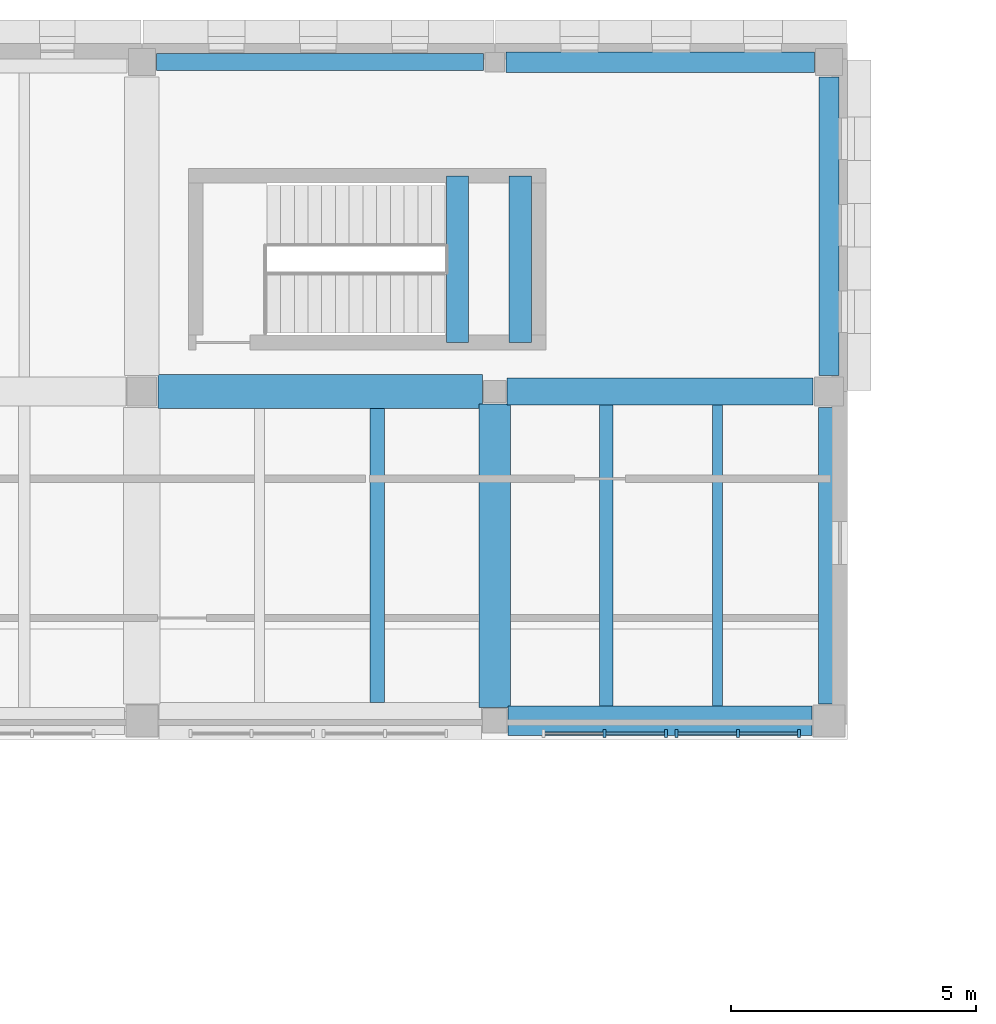
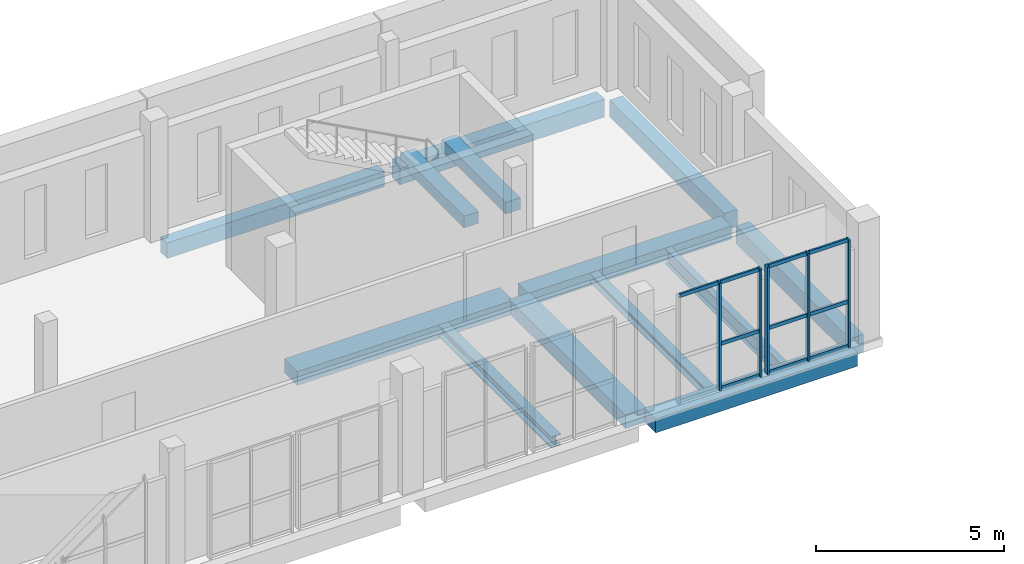
# One storey, part 27 of 76: 15 members, 13 beams, 2 elements without a shape of their own.
"""IFC4 building model written with IfcOpenShell, lengths in metres."""

from ifc_helpers import new_model, si_unit, direction, frame, origin, origin_2d, place, context, subcontext, project, spatial, rectangle, i_section, extrude, material, layer, layer_set, material_profile, profile_set, type_object, element, aggregate, save


model = new_model("IFC4")

# Units and contexts
model_context = context("Model", 3, precision=1e-05, world=origin(), true_north=direction((0.0, 1.0)))
body_context = subcontext(model_context, "Body", "Model", "MODEL_VIEW")
ifc_project = project(units=[si_unit("LENGTHUNIT", "METRE"), si_unit("AREAUNIT", "SQUARE_METRE"), si_unit("VOLUMEUNIT", "CUBIC_METRE"), si_unit("PLANEANGLEUNIT", "RADIAN"), si_unit("MASSUNIT", "GRAM", prefix="KILO")], contexts=[model_context])

# Site, building, storey
site_placement = place(None, origin())
site = spatial("IfcSite", under=ifc_project, at=site_placement, CompositionType="ELEMENT")
building_placement = place(site_placement, origin())
building = spatial("IfcBuilding", under=site, at=building_placement, Name="Vardoun Plaza Health Centre", CompositionType="ELEMENT")
storey_placement = place(building_placement, frame((0.0, 0.0, 4.5)))
storey = spatial("IfcBuildingStorey", under=building, at=storey_placement, Name="L01", CompositionType="ELEMENT", Elevation=4.5)

# Beams
ifc_material_1 = material(Name="Concrete C35/45", Category="concrete")
ifc_material_profile_1 = material_profile(ifc_material_1, rectangle(XDim=0.35009765625, YDim=0.5, at=origin_2d()), Name="RC-BM 350x500")
ifc_profile_set_1 = profile_set([ifc_material_profile_1], Name="Concrete C35/45")
beam_type_1 = type_object("IfcBeamType", Name="B-08", PredefinedType="SPANDREL", material=ifc_profile_set_1)
beam_1_placement = place(storey_placement, frame((33.60009765625, 114.919921875, -0.514892578125), z_axis=(1.0, 0.0, 0.0), x_axis=(0.0, 1.0, 0.0)))
element("IfcBeam", 1, at=beam_1_placement, inside=storey, type_object=beam_type_1, Name="V3 L01 Beam B-V3-L01-X21", PredefinedType="SPANDREL", context=body_context, shape_type="SweptSolid", body=[
    extrude(rectangle(XDim=0.35009765625, YDim=0.5, at=origin_2d()), origin(), (0.0, 0.0, 1.0), 6.675048828125),
])
ifc_material_2 = material(Name="Concrete C35/45", Category="concrete")
ifc_material_profile_2 = material_profile(ifc_material_2, rectangle(XDim=0.39990234375, YDim=0.550048828125, at=origin_2d()), Name="RC-BM 400x550")
ifc_profile_set_2 = profile_set([ifc_material_profile_2], Name="Concrete C35/45")
beam_type_2 = type_object("IfcBeamType", Name="B-09", PredefinedType="SPANDREL", material=ifc_profile_set_2)
beam_2_placement = place(storey_placement, frame((47.320068359375, 108.525146484375, -0.5400390625), z_axis=(0.0, 1.0, 0.0), x_axis=(-1.0, 0.0, 0.0)))
element("IfcBeam", 2, at=beam_2_placement, inside=storey, type_object=beam_type_2, Name="V3 L01 Beam B-V3-L01-Y45", PredefinedType="SPANDREL", context=body_context, shape_type="SweptSolid", body=[
    extrude(rectangle(XDim=0.39990234375, YDim=0.550048828125, at=origin_2d()), origin(), (0.0, 0.0, 1.0), 6.094970703125),
])
ifc_material_3 = material(Name="Concrete C35/45", Category="concrete")
ifc_material_profile_3 = material_profile(ifc_material_3, rectangle(XDim=0.419921875, YDim=0.580078125, at=origin_2d()), Name="RC-BM 420x580")
ifc_profile_set_3 = profile_set([ifc_material_profile_3], Name="Concrete C35/45")
beam_type_3 = type_object("IfcBeamType", Name="B-10", PredefinedType="SPANDREL", material=ifc_profile_set_3)
beam_3_placement = place(storey_placement, frame((40.72509765625, 114.919921875, -0.554931640625), z_axis=(1.0, 0.0, 0.0), x_axis=(0.0, 1.0, 0.0)))
element("IfcBeam", 3, at=beam_3_placement, inside=storey, type_object=beam_type_3, Name="V3 L01 Beam B-V3-L01-X24", PredefinedType="SPANDREL", context=body_context, shape_type="SweptSolid", body=[
    extrude(rectangle(XDim=0.419921875, YDim=0.580078125, at=origin_2d()), origin(), (0.0, 0.0, 1.0), 6.294921875),
])
beam_4_placement = place(storey_placement, frame((47.320068359375, 101.830078125, -0.554931640625), z_axis=(0.0, 1.0, 0.0), x_axis=(-1.0, 0.0, 0.0)))
element("IfcBeam", 4, at=beam_4_placement, inside=storey, type_object=beam_type_3, Name="V3 L01 Beam B-V3-L01-Y44", PredefinedType="SPANDREL", context=body_context, shape_type="SweptSolid", body=[
    extrude(rectangle(XDim=0.419921875, YDim=0.580078125, at=origin_2d()), origin(), (0.0, 0.0, 1.0), 6.044921875),
])
ifc_material_4 = material(Name="Concrete C35/45", Category="concrete")
ifc_material_profile_4 = material_profile(ifc_material_4, rectangle(XDim=0.449951171875, YDim=0.3798828125, at=origin_2d()), Name="RC-BM 450x380")
ifc_profile_set_4 = profile_set([ifc_material_profile_4], Name="Concrete C35/45")
beam_type_4 = type_object("IfcBeamType", Name="B-01", PredefinedType="BEAM", material=ifc_profile_set_4)
for number, where, z_axis, x_axis, name in (
    (5, (39.739990234375, 109.199951171875, 1.7099609375), (0.0, 1.0, 0.0), (-1.0, 0.0, 0.0), "Stair ST-C4-L01 Landing Beam 1"),
    (6, (41.02001953125, 109.199951171875, 1.7099609375), (0.0, 1.0, 0.0), (-1.0, 0.0, 0.0), "Stair ST-C4-L01 Landing Beam 2"),
):
    element("IfcBeam", number, at=place(storey_placement, frame(where, z_axis=z_axis, x_axis=x_axis)), inside=storey, type_object=beam_type_4, Name=name, PredefinedType="BEAM", context=body_context, shape_type="SweptSolid", body=[
        extrude(rectangle(XDim=0.449951171875, YDim=0.3798828125, at=origin_2d()), origin(), (0.0, 0.0, 1.0), 3.400146484375),
    ])
ifc_material_5 = material(Name="Concrete C35/45", Category="concrete")
ifc_material_profile_5 = material_profile(ifc_material_5, rectangle(XDim=0.550048828125, YDim=0.419921875, at=origin_2d()), Name="RC-BM 550x420")
ifc_profile_set_5 = profile_set([ifc_material_profile_5], Name="Concrete C35/45")
beam_type_5 = type_object("IfcBeamType", Name="B-03", PredefinedType="BEAM", material=ifc_profile_set_5)
beam_5_placement = place(storey_placement, frame((40.75, 108.199951171875, -0.47509765625), z_axis=(1.0, 0.0, 0.0), x_axis=(0.0, 1.0, 0.0)))
element("IfcBeam", 7, at=beam_5_placement, inside=storey, type_object=beam_type_5, Name="V3 L01 Beam B-V3-L01-X23", PredefinedType="BEAM", context=body_context, shape_type="SweptSolid", body=[
    extrude(rectangle(XDim=0.550048828125, YDim=0.419921875, at=origin_2d()), origin(), (0.0, 0.0, 1.0), 6.2451171875),
])
ifc_material_6 = material(Name="Concrete C35/45", Category="concrete")
ifc_material_profile_6 = material_profile(ifc_material_6, rectangle(XDim=0.60009765625, YDim=0.449951171875, at=origin_2d()), Name="RC-BM 600x450")
ifc_profile_set_6 = profile_set([ifc_material_profile_6], Name="Concrete C35/45")
beam_type_6 = type_object("IfcBeamType", Name="B-04", PredefinedType="BEAM", material=ifc_profile_set_6)
beam_6_placement = place(storey_placement, frame((40.775146484375, 101.47998046875, -0.489990234375), z_axis=(1.0, 0.0, 0.0), x_axis=(0.0, 1.0, 0.0)))
element("IfcBeam", 8, at=beam_6_placement, inside=storey, type_object=beam_type_6, Name="V3 L01 Beam B-V3-L01-X22", PredefinedType="BEAM", context=body_context, shape_type="SweptSolid", body=[
    extrude(rectangle(XDim=0.60009765625, YDim=0.449951171875, at=origin_2d()), origin(), (0.0, 0.0, 1.0), 6.19482421875),
])
ifc_material_7 = material(Name="Concrete C35/45", Category="concrete")
ifc_material_profile_7 = material_profile(ifc_material_7, rectangle(XDim=0.64990234375, YDim=0.449951171875, at=origin_2d()), Name="RC-BM 650x450")
ifc_profile_set_7 = profile_set([ifc_material_profile_7], Name="Concrete C35/45")
beam_type_7 = type_object("IfcBeamType", Name="B-05", PredefinedType="BEAM", material=ifc_profile_set_7)
beam_7_placement = place(storey_placement, frame((40.5, 101.7548828125, -0.489990234375), z_axis=(0.0, 1.0, 0.0), x_axis=(-1.0, 0.0, 0.0)))
element("IfcBeam", 9, at=beam_7_placement, inside=storey, type_object=beam_type_7, Name="V3 L01 Beam B-V3-L01-Y43", PredefinedType="BEAM", context=body_context, shape_type="SweptSolid", body=[
    extrude(rectangle(XDim=0.64990234375, YDim=0.449951171875, at=origin_2d()), origin(), (0.0, 0.0, 1.0), 6.195068359375),
])
ifc_material_8 = material(Name="Concrete C35/45", Category="concrete")
ifc_material_profile_8 = material_profile(ifc_material_8, rectangle(XDim=0.699951171875, YDim=0.449951171875, at=origin_2d()), Name="RC-BM 700x450")
ifc_profile_set_8 = profile_set([ifc_material_profile_8], Name="Concrete C35/45")
beam_type_8 = type_object("IfcBeamType", Name="B-06", PredefinedType="BEAM", material=ifc_profile_set_8)
beam_8_placement = place(storey_placement, frame((33.625, 108.199951171875, -0.489990234375), z_axis=(1.0, 0.0, 0.0), x_axis=(0.0, 1.0, 0.0)))
element("IfcBeam", 10, at=beam_8_placement, inside=storey, type_object=beam_type_8, Name="V3 L01 Beam B-V3-L01-X20", PredefinedType="BEAM", context=body_context, shape_type="SweptSolid", body=[
    extrude(rectangle(XDim=0.699951171875, YDim=0.449951171875, at=origin_2d()), origin(), (0.0, 0.0, 1.0), 6.625),
])
ifc_material_9 = material(Name="Steel S355J2", Category="steel")
ifc_material_profile_9 = material_profile(ifc_material_9, i_section(OverallWidth=0.280029296875, OverallDepth=0.280029296875, WebThickness=0.010498046875, FlangeThickness=0.01806640625, FilletRadius=0.02392578125, at=origin_2d()), Name="HEB 280")
ifc_profile_set_9 = profile_set([ifc_material_profile_9], Name="Steel S355J2")
beam_type_9 = type_object("IfcBeamType", Name="SB-02", PredefinedType="BEAM", material=ifc_profile_set_9)
beam_9_placement = place(storey_placement, frame((42.773193359375, 101.780029296875, -0.405029296875), z_axis=(0.0, 1.0, 0.0), x_axis=(-1.0, 0.0, 0.0)))
element("IfcBeam", 11, at=beam_9_placement, inside=storey, type_object=beam_type_9, Name="V3 L01 Secondary Floor Beam SJ-V3-L01-27", PredefinedType="BEAM", context=body_context, shape_type="SweptSolid", body=[
    extrude(i_section(OverallWidth=0.280029296875, OverallDepth=0.280029296875, WebThickness=0.010498046875, FlangeThickness=0.01806640625, FilletRadius=0.02392578125, at=origin_2d()), origin(), (0.0, 0.0, 1.0), 6.14501953125),
])
ifc_material_10 = material(Name="Steel S355J2", Category="steel")
ifc_material_profile_10 = material_profile(ifc_material_10, i_section(OverallWidth=0.300048828125, OverallDepth=0.360107421875, WebThickness=0.012451171875, FlangeThickness=0.0224609375, FilletRadius=0.027099609375, at=origin_2d()), Name="HEB 360")
ifc_profile_set_10 = profile_set([ifc_material_profile_10], Name="Steel S355J2")
beam_type_10 = type_object("IfcBeamType", Name="RB-04", PredefinedType="BEAM", material=ifc_profile_set_10)
beam_10_placement = place(storey_placement, frame((38.10009765625, 101.85498046875, -0.445068359375), z_axis=(0.0, 1.0, 0.0), x_axis=(-1.0, 0.0, 0.0)))
element("IfcBeam", 12, at=beam_10_placement, inside=storey, type_object=beam_type_10, Name="V3 L01 Secondary Floor Beam SJ-V3-L01-26", PredefinedType="BEAM", context=body_context, shape_type="SweptSolid", body=[
    extrude(i_section(OverallWidth=0.300048828125, OverallDepth=0.360107421875, WebThickness=0.012451171875, FlangeThickness=0.0224609375, FilletRadius=0.027099609375, at=origin_2d()), origin(), (0.0, 0.0, 1.0), 5.9951171875),
])
ifc_material_11 = material(Name="Steel S355J2", Category="steel")
ifc_material_profile_11 = material_profile(ifc_material_11, i_section(OverallWidth=0.199951171875, OverallDepth=0.5, WebThickness=0.01025390625, FlangeThickness=0.01611328125, FilletRadius=0.02099609375, at=origin_2d()), Name="IPE 500")
ifc_profile_set_11 = profile_set([ifc_material_profile_11], Name="Steel S355J2")
beam_type_11 = type_object("IfcBeamType", Name="SB-10", PredefinedType="BEAM", material=ifc_profile_set_11)
beam_11_placement = place(storey_placement, frame((45.046875, 101.780029296875, -0.514892578125), z_axis=(0.0, 1.0, 0.0), x_axis=(-1.0, 0.0, 0.0)))
element("IfcBeam", 13, at=beam_11_placement, inside=storey, type_object=beam_type_11, Name="V3 L01 Secondary Floor Beam SJ-V3-L01-28", PredefinedType="BEAM", context=body_context, shape_type="SweptSolid", body=[
    extrude(i_section(OverallWidth=0.199951171875, OverallDepth=0.5, WebThickness=0.01025390625, FlangeThickness=0.01611328125, FilletRadius=0.02099609375, at=origin_2d()), origin(), (0.0, 0.0, 1.0), 6.14501953125),
])

# Curtain wall, members
ifc_material_12 = material(Name="Aluminium Alloy EN AW-6063-T6 and Low-E Glass", Category="aluminium")
ifc_layer = layer(ifc_material_12, 0.159912109375)
ifc_layer_set = layer_set([ifc_layer], Name="Aluminium Alloy EN AW-6063-T6 and Low-E Glass")
curtain_wall_type = type_object("IfcCurtainWallType", Name="CW-02", PredefinedType="USERDEFINED", material=ifc_layer_set)
curtain_wall_1_placement = place(storey_placement, origin())
curtain_wall_1 = element("IfcCurtainWall", 14, at=curtain_wall_1_placement, inside=storey, type_object=curtain_wall_type, Name="Curtain Wall CW-V3-059", ObjectType="COURTYARD_CURTAIN_WALL", PredefinedType="USERDEFINED")
ifc_material_13 = material(Name="Aluminium Alloy EN AW-6063-T6", Category="aluminium")
ifc_material_profile_12 = material_profile(ifc_material_13, rectangle(XDim=0.159912109375, YDim=0.06005859375, at=origin_2d()), Name="CWM 60x160")
ifc_profile_set_12 = profile_set([ifc_material_profile_12], Name="Aluminium Alloy EN AW-6063-T6")
member_type_1 = type_object("IfcMemberType", Name="CW-M1", PredefinedType="MULLION", material=ifc_profile_set_12)
member_1_placement = place(storey_placement, frame((46.7099609375, 101.219970703125, 0.0), z_axis=(0.0, 0.0, 1.0), x_axis=(0.0, -1.0, 0.0)))
member_1 = element("IfcMember", 15, at=member_1_placement, type_object=member_type_1, Name="CW-V3-059 mullion 1", PredefinedType="MULLION", context=body_context, shape_type="SweptSolid", body=[
    extrude(rectangle(XDim=0.159912109375, YDim=0.06005859375, at=origin_2d()), origin(), (0.0, 0.0, 1.0), 3.5),
])
member_2_placement = place(storey_placement, frame((45.4599609375, 101.219970703125, 0.0), z_axis=(0.0, 0.0, 1.0), x_axis=(0.0, -1.0, 0.0)))
member_2 = element("IfcMember", 16, at=member_2_placement, type_object=member_type_1, Name="CW-V3-059 mullion 2", PredefinedType="MULLION", context=body_context, shape_type="SweptSolid", body=[
    extrude(rectangle(XDim=0.159912109375, YDim=0.06005859375, at=origin_2d()), origin(), (0.0, 0.0, 1.0), 3.5),
])
member_3_placement = place(storey_placement, frame((44.2099609375, 101.219970703125, 0.0), z_axis=(0.0, 0.0, 1.0), x_axis=(0.0, -1.0, 0.0)))
member_3 = element("IfcMember", 17, at=member_3_placement, type_object=member_type_1, Name="CW-V3-059 mullion 3", PredefinedType="MULLION", context=body_context, shape_type="SweptSolid", body=[
    extrude(rectangle(XDim=0.159912109375, YDim=0.06005859375, at=origin_2d()), origin(), (0.0, 0.0, 1.0), 3.5),
])

curtain_wall_2_placement = place(storey_placement, origin())
curtain_wall_2 = element("IfcCurtainWall", 18, at=curtain_wall_2_placement, inside=storey, type_object=curtain_wall_type, Name="Curtain Wall CW-V3-060", ObjectType="COURTYARD_CURTAIN_WALL", PredefinedType="USERDEFINED")
member_4_placement = place(storey_placement, frame((43.989990234375, 101.219970703125, 0.0), z_axis=(0.0, 0.0, 1.0), x_axis=(0.0, -1.0, 0.0)))
member_4 = element("IfcMember", 19, at=member_4_placement, type_object=member_type_1, Name="CW-V3-060 mullion 1", PredefinedType="MULLION", context=body_context, shape_type="SweptSolid", body=[
    extrude(rectangle(XDim=0.159912109375, YDim=0.06005859375, at=origin_2d()), origin(), (0.0, 0.0, 1.0), 3.5),
])
member_5_placement = place(storey_placement, frame((42.739990234375, 101.219970703125, 0.0), z_axis=(0.0, 0.0, 1.0), x_axis=(0.0, -1.0, 0.0)))
member_5 = element("IfcMember", 20, at=member_5_placement, type_object=member_type_1, Name="CW-V3-060 mullion 2", PredefinedType="MULLION", context=body_context, shape_type="SweptSolid", body=[
    extrude(rectangle(XDim=0.159912109375, YDim=0.06005859375, at=origin_2d()), origin(), (0.0, 0.0, 1.0), 3.5),
])

# Member
ifc_material_14 = material(Name="Aluminium Alloy EN AW-6063-T6", Category="aluminium")
ifc_material_profile_13 = material_profile(ifc_material_14, rectangle(XDim=0.06005859375, YDim=0.1201171875, at=origin_2d()), Name="CWT 60x120")
ifc_profile_set_13 = profile_set([ifc_material_profile_13], Name="Aluminium Alloy EN AW-6063-T6")
member_type_2 = type_object("IfcMemberType", Name="CW-T1", PredefinedType="USERDEFINED", material=ifc_profile_set_13)
member_6_placement = place(storey_placement, frame((46.679931640625, 101.219970703125, 0.030029296875), z_axis=(-1.0, 0.0, 0.0), x_axis=(0.0, -1.0, 0.0)))
member_6 = element("IfcMember", 21, at=member_6_placement, type_object=member_type_2, Name="CW-V3-059 transom 1.1", ObjectType="TRANSOM", PredefinedType="USERDEFINED", context=body_context, shape_type="SweptSolid", body=[
    extrude(rectangle(XDim=0.06005859375, YDim=0.1201171875, at=origin_2d()), origin(), (0.0, 0.0, 1.0), 1.18994140625),
])

member_7_placement = place(storey_placement, frame((46.679931640625, 101.219970703125, 1.469970703125), z_axis=(-1.0, 0.0, 0.0), x_axis=(0.0, -1.0, 0.0)))
member_7 = element("IfcMember", 22, at=member_7_placement, type_object=member_type_2, Name="CW-V3-059 transom 1.2", ObjectType="TRANSOM", PredefinedType="USERDEFINED", context=body_context, shape_type="SweptSolid", body=[
    extrude(rectangle(XDim=0.06005859375, YDim=0.1201171875, at=origin_2d()), origin(), (0.0, 0.0, 1.0), 1.18994140625),
])

member_8_placement = place(storey_placement, frame((46.679931640625, 101.219970703125, 3.469970703125), z_axis=(-1.0, 0.0, 0.0), x_axis=(0.0, -1.0, 0.0)))
member_8 = element("IfcMember", 23, at=member_8_placement, type_object=member_type_2, Name="CW-V3-059 transom 1.3", ObjectType="TRANSOM", PredefinedType="USERDEFINED", context=body_context, shape_type="SweptSolid", body=[
    extrude(rectangle(XDim=0.06005859375, YDim=0.1201171875, at=origin_2d()), origin(), (0.0, 0.0, 1.0), 1.18994140625),
])

member_9_placement = place(storey_placement, frame((45.429931640625, 101.219970703125, 0.030029296875), z_axis=(-1.0, 0.0, 0.0), x_axis=(0.0, -1.0, 0.0)))
member_9 = element("IfcMember", 24, at=member_9_placement, type_object=member_type_2, Name="CW-V3-059 transom 2.1", ObjectType="TRANSOM", PredefinedType="USERDEFINED", context=body_context, shape_type="SweptSolid", body=[
    extrude(rectangle(XDim=0.06005859375, YDim=0.1201171875, at=origin_2d()), origin(), (0.0, 0.0, 1.0), 1.18994140625),
])

member_10_placement = place(storey_placement, frame((45.429931640625, 101.219970703125, 1.469970703125), z_axis=(-1.0, 0.0, 0.0), x_axis=(0.0, -1.0, 0.0)))
member_10 = element("IfcMember", 25, at=member_10_placement, type_object=member_type_2, Name="CW-V3-059 transom 2.2", ObjectType="TRANSOM", PredefinedType="USERDEFINED", context=body_context, shape_type="SweptSolid", body=[
    extrude(rectangle(XDim=0.06005859375, YDim=0.1201171875, at=origin_2d()), origin(), (0.0, 0.0, 1.0), 1.18994140625),
])

member_11_placement = place(storey_placement, frame((45.429931640625, 101.219970703125, 3.469970703125), z_axis=(-1.0, 0.0, 0.0), x_axis=(0.0, -1.0, 0.0)))
member_11 = element("IfcMember", 26, at=member_11_placement, type_object=member_type_2, Name="CW-V3-059 transom 2.3", ObjectType="TRANSOM", PredefinedType="USERDEFINED", context=body_context, shape_type="SweptSolid", body=[
    extrude(rectangle(XDim=0.06005859375, YDim=0.1201171875, at=origin_2d()), origin(), (0.0, 0.0, 1.0), 1.18994140625),
])

aggregate(curtain_wall_1, [member_1, member_2, member_3, member_6, member_7, member_8, member_9, member_10, member_11])

member_12_placement = place(storey_placement, frame((43.9599609375, 101.219970703125, 0.030029296875), z_axis=(-1.0, 0.0, 0.0), x_axis=(0.0, -1.0, 0.0)))
member_12 = element("IfcMember", 27, at=member_12_placement, type_object=member_type_2, Name="CW-V3-060 transom 1.1", ObjectType="TRANSOM", PredefinedType="USERDEFINED", context=body_context, shape_type="SweptSolid", body=[
    extrude(rectangle(XDim=0.06005859375, YDim=0.1201171875, at=origin_2d()), origin(), (0.0, 0.0, 1.0), 1.18994140625),
])

member_13_placement = place(storey_placement, frame((43.9599609375, 101.219970703125, 1.469970703125), z_axis=(-1.0, 0.0, 0.0), x_axis=(0.0, -1.0, 0.0)))
member_13 = element("IfcMember", 28, at=member_13_placement, type_object=member_type_2, Name="CW-V3-060 transom 1.2", ObjectType="TRANSOM", PredefinedType="USERDEFINED", context=body_context, shape_type="SweptSolid", body=[
    extrude(rectangle(XDim=0.06005859375, YDim=0.1201171875, at=origin_2d()), origin(), (0.0, 0.0, 1.0), 1.18994140625),
])

member_14_placement = place(storey_placement, frame((43.9599609375, 101.219970703125, 3.469970703125), z_axis=(-1.0, 0.0, 0.0), x_axis=(0.0, -1.0, 0.0)))
member_14 = element("IfcMember", 29, at=member_14_placement, type_object=member_type_2, Name="CW-V3-060 transom 1.3", ObjectType="TRANSOM", PredefinedType="USERDEFINED", context=body_context, shape_type="SweptSolid", body=[
    extrude(rectangle(XDim=0.06005859375, YDim=0.1201171875, at=origin_2d()), origin(), (0.0, 0.0, 1.0), 1.18994140625),
])

member_15_placement = place(storey_placement, frame((42.7099609375, 101.219970703125, 3.469970703125), z_axis=(-1.0, 0.0, 0.0), x_axis=(0.0, -1.0, 0.0)))
member_15 = element("IfcMember", 30, at=member_15_placement, type_object=member_type_2, Name="CW-V3-060 transom 2.3", ObjectType="TRANSOM", PredefinedType="USERDEFINED", context=body_context, shape_type="SweptSolid", body=[
    extrude(rectangle(XDim=0.06005859375, YDim=0.1201171875, at=origin_2d()), origin(), (0.0, 0.0, 1.0), 1.18994140625),
])

aggregate(curtain_wall_2, [member_4, member_5, member_12, member_13, member_14, member_15])

save(model, "model.ifc")
